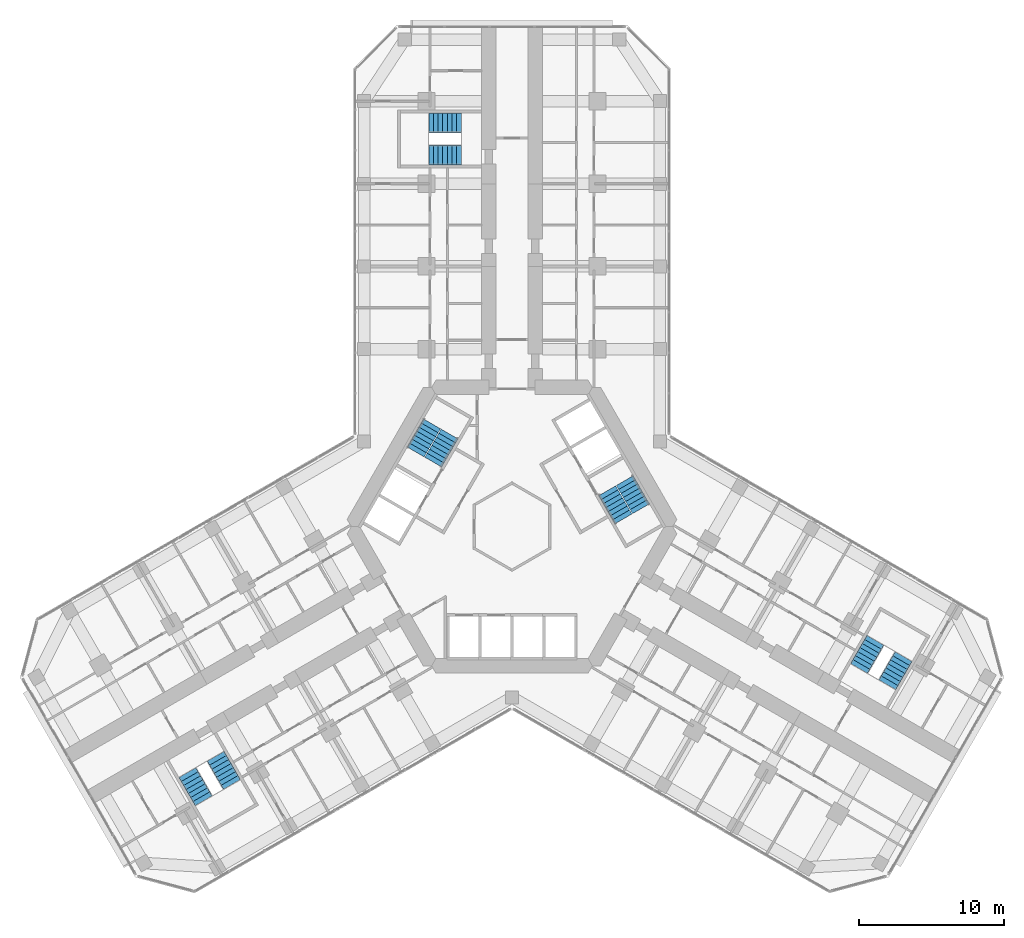
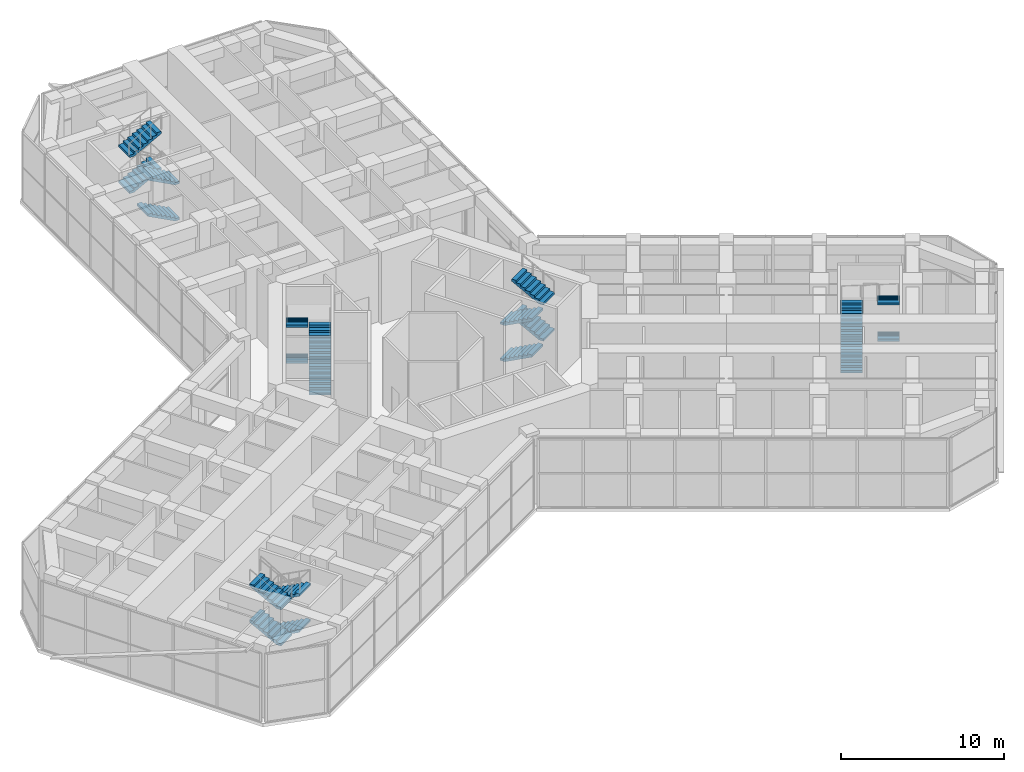
# One storey, part 21 of 23: 20 stair flights, 5 elements without a shape of their own.
"""IFC4 building model written with IfcOpenShell, lengths in metres."""

from ifc_helpers import new_model, si_unit, direction, frame, origin, place, context, subcontext, project, spatial, polyline, outline, extrude, material, type_object, element, aggregate, save


model = new_model("IFC4")

# Units and contexts
model_context = context("Model", 3, precision=1e-05, world=origin(), true_north=direction((0.0, 1.0)))
body_context = subcontext(model_context, "Body", "Model", "MODEL_VIEW")
ifc_project = project(units=[si_unit("LENGTHUNIT", "METRE"), si_unit("AREAUNIT", "SQUARE_METRE"), si_unit("VOLUMEUNIT", "CUBIC_METRE"), si_unit("PLANEANGLEUNIT", "RADIAN"), si_unit("MASSUNIT", "GRAM", prefix="KILO")], contexts=[model_context])

# Site, building, storey
site_placement = place(None, origin())
site = spatial("IfcSite", under=ifc_project, at=site_placement, CompositionType="ELEMENT")
building_placement = place(site_placement, origin())
building = spatial("IfcBuilding", under=site, at=building_placement, Name="Kosmar Iwan School Tower", CompositionType="ELEMENT")
storey_placement = place(building_placement, frame((0.0, 0.0, 75.39990234375)))
storey = spatial("IfcBuildingStorey", under=building, at=storey_placement, Name="L18", CompositionType="ELEMENT", Elevation=75.39990234375)

# Stair, stair flights
ifc_material_1 = material(Name="Concrete C35/45", Category="concrete")
stair_type_1 = type_object("IfcStairType", Name="Escape stair 3600", PredefinedType="HALF_TURN_STAIR", material=ifc_material_1)
stair_1_placement = place(storey_placement, origin())
stair_1 = element("IfcStair", 1, at=stair_1_placement, inside=storey, type_object=stair_type_1, Name="Stair WS1 L18", PredefinedType="HALF_TURN_STAIR")
ifc_material_2 = material(Name="Concrete C35/45", Category="concrete")
stair_flight_type_1 = type_object("IfcStairFlightType", Name="Escape stair flight 1350", PredefinedType="STRAIGHT", material=ifc_material_2)
stair_flight_1_placement = place(storey_placement, frame((-3.5, 25.625, 0.0), z_axis=(0.0, 0.0, 1.0), x_axis=(-1.0, 0.0, 0.0)))
stair_flight_1 = element("IfcStairFlight", 2, at=stair_flight_1_placement, type_object=stair_flight_type_1, Name="WS1 flight 1", NumberOfRisers=8, NumberOfTreads=7, PredefinedType="STRAIGHT", RiserHeight=0.16875, TreadLength=0.32, context=body_context, shape_type="SweptSolid", body=[
    extrude(outline(polyline([(0.0, 0.0), (0.0, 0.168701171875), (0.320068359375, 0.168701171875), (0.320068359375, 0.33740234375), (0.639892578125, 0.33740234375), (0.639892578125, 0.50634765625), (0.9599609375, 0.50634765625), (0.9599609375, 0.675048828125), (1.280029296875, 0.675048828125), (1.280029296875, 0.84375), (1.60009765625, 0.84375), (1.60009765625, 1.012451171875), (1.919921875, 1.012451171875), (1.919921875, 1.18115234375), (2.239990234375, 1.18115234375), (2.239990234375, 1.35009765625), (2.239990234375, 1.01171875), (0.3212890625, 0.0), (0.0, 0.0)])), frame((0.0, 0.675048828125, 0.0), z_axis=(0.0, -1.0, 0.0), x_axis=(1.0, 0.0, 0.0)), (0.0, 0.0, 1.0), 1.35009765625),
])
stair_flight_2_placement = place(storey_placement, frame((-5.739990234375, 27.875, 1.35009765625), z_axis=(0.0, 0.0, 1.0), x_axis=(1.0, 0.0, 0.0)))
stair_flight_2 = element("IfcStairFlight", 3, at=stair_flight_2_placement, type_object=stair_flight_type_1, Name="WS1 flight 2", NumberOfRisers=8, NumberOfTreads=7, PredefinedType="STRAIGHT", RiserHeight=0.16875, TreadLength=0.32, context=body_context, shape_type="SweptSolid", body=[
    extrude(outline(polyline([(0.0, 0.0), (0.0, 0.168701171875), (0.320068359375, 0.168701171875), (0.320068359375, 0.33740234375), (0.639892578125, 0.33740234375), (0.639892578125, 0.50634765625), (0.9599609375, 0.50634765625), (0.9599609375, 0.675048828125), (1.280029296875, 0.675048828125), (1.280029296875, 0.84375), (1.60009765625, 0.84375), (1.60009765625, 1.012451171875), (1.919921875, 1.012451171875), (1.919921875, 1.18115234375), (2.239990234375, 1.18115234375), (2.239990234375, 1.35009765625), (2.239990234375, 1.01171875), (0.3212890625, 0.0), (0.0, 0.0)])), frame((0.0, 0.675048828125, 0.0), z_axis=(0.0, -1.0, 0.0), x_axis=(1.0, 0.0, 0.0)), (0.0, 0.0, 1.0), 1.35009765625),
])
stair_flight_3_placement = place(storey_placement, frame((-3.5, 25.625, 2.7001953125), z_axis=(0.0, 0.0, 1.0), x_axis=(-1.0, 0.0, 0.0)))
stair_flight_3 = element("IfcStairFlight", 4, at=stair_flight_3_placement, type_object=stair_flight_type_1, Name="WS1 flight 3", NumberOfRisers=8, NumberOfTreads=7, PredefinedType="STRAIGHT", RiserHeight=0.16875, TreadLength=0.32, context=body_context, shape_type="SweptSolid", body=[
    extrude(outline(polyline([(0.0, 0.0), (0.0, 0.168701171875), (0.320068359375, 0.168701171875), (0.320068359375, 0.33740234375), (0.639892578125, 0.33740234375), (0.639892578125, 0.50634765625), (0.9599609375, 0.50634765625), (0.9599609375, 0.675048828125), (1.280029296875, 0.675048828125), (1.280029296875, 0.84375), (1.60009765625, 0.84375), (1.60009765625, 1.012451171875), (1.919921875, 1.012451171875), (1.919921875, 1.18115234375), (2.239990234375, 1.18115234375), (2.239990234375, 1.35009765625), (2.239990234375, 1.01171875), (0.3212890625, 0.0), (0.0, 0.0)])), frame((0.0, 0.675048828125, 0.0), z_axis=(0.0, -1.0, 0.0), x_axis=(1.0, 0.0, 0.0)), (0.0, 0.0, 1.0), 1.35009765625),
])
stair_flight_4_placement = place(storey_placement, frame((-5.739990234375, 27.875, 4.050048828125), z_axis=(0.0, 0.0, 1.0), x_axis=(1.0, 0.0, 0.0)))
stair_flight_4 = element("IfcStairFlight", 5, at=stair_flight_4_placement, type_object=stair_flight_type_1, Name="WS1 flight 4", NumberOfRisers=8, NumberOfTreads=7, PredefinedType="STRAIGHT", RiserHeight=0.16875, TreadLength=0.32, context=body_context, shape_type="SweptSolid", body=[
    extrude(outline(polyline([(0.0, 0.0), (0.0, 0.168701171875), (0.320068359375, 0.168701171875), (0.320068359375, 0.33740234375), (0.639892578125, 0.33740234375), (0.639892578125, 0.50634765625), (0.9599609375, 0.50634765625), (0.9599609375, 0.675048828125), (1.280029296875, 0.675048828125), (1.280029296875, 0.84375), (1.60009765625, 0.84375), (1.60009765625, 1.012451171875), (1.919921875, 1.012451171875), (1.919921875, 1.18115234375), (2.239990234375, 1.18115234375), (2.239990234375, 1.35009765625), (2.239990234375, 1.01171875), (0.3212890625, 0.0), (0.0, 0.0)])), frame((0.0, 0.675048828125, 0.0), z_axis=(0.0, -1.0, 0.0), x_axis=(1.0, 0.0, 0.0)), (0.0, 0.0, 1.0), 1.35009765625),
])
aggregate(stair_1, [stair_flight_1, stair_flight_2, stair_flight_3, stair_flight_4])

stair_2_placement = place(storey_placement, origin())
stair_2 = element("IfcStair", 6, at=stair_2_placement, inside=storey, type_object=stair_type_1, Name="Stair WS2 L18", PredefinedType="HALF_TURN_STAIR")
stair_flight_5_placement = place(storey_placement, frame((-20.44189453125, -15.843505859375, 0.0), z_axis=(0.0, 0.0, 1.0), x_axis=(0.5, -0.866025403784, 0.0)))
stair_flight_5 = element("IfcStairFlight", 7, at=stair_flight_5_placement, type_object=stair_flight_type_1, Name="WS2 flight 1", NumberOfRisers=8, NumberOfTreads=7, PredefinedType="STRAIGHT", RiserHeight=0.16875, TreadLength=0.32, context=body_context, shape_type="SweptSolid", body=[
    extrude(outline(polyline([(0.0, 0.0), (0.0, 0.168701171875), (0.320068359375, 0.168701171875), (0.320068359375, 0.33740234375), (0.639892578125, 0.33740234375), (0.639892578125, 0.50634765625), (0.9599609375, 0.50634765625), (0.9599609375, 0.675048828125), (1.280029296875, 0.675048828125), (1.280029296875, 0.84375), (1.60009765625, 0.84375), (1.60009765625, 1.012451171875), (1.919921875, 1.012451171875), (1.919921875, 1.18115234375), (2.239990234375, 1.18115234375), (2.239990234375, 1.35009765625), (2.239990234375, 1.01171875), (0.3212890625, 0.0), (0.0, 0.0)])), frame((0.0, 0.675048828125, 0.0), z_axis=(0.0, -1.0, 0.0), x_axis=(1.0, 0.0, 0.0)), (0.0, 0.0, 1.0), 1.35009765625),
])
stair_flight_6_placement = place(storey_placement, frame((-21.2705078125, -18.908447265625, 1.35009765625), z_axis=(0.0, 0.0, 1.0), x_axis=(-0.5, 0.866025403784, 0.0)))
stair_flight_6 = element("IfcStairFlight", 8, at=stair_flight_6_placement, type_object=stair_flight_type_1, Name="WS2 flight 2", NumberOfRisers=8, NumberOfTreads=7, PredefinedType="STRAIGHT", RiserHeight=0.16875, TreadLength=0.32, context=body_context, shape_type="SweptSolid", body=[
    extrude(outline(polyline([(0.0, 0.0), (0.0, 0.168701171875), (0.320068359375, 0.168701171875), (0.320068359375, 0.33740234375), (0.639892578125, 0.33740234375), (0.639892578125, 0.50634765625), (0.9599609375, 0.50634765625), (0.9599609375, 0.675048828125), (1.280029296875, 0.675048828125), (1.280029296875, 0.84375), (1.60009765625, 0.84375), (1.60009765625, 1.012451171875), (1.919921875, 1.012451171875), (1.919921875, 1.18115234375), (2.239990234375, 1.18115234375), (2.239990234375, 1.35009765625), (2.239990234375, 1.01171875), (0.3212890625, 0.0), (0.0, 0.0)])), frame((0.0, 0.675048828125, 0.0), z_axis=(0.0, -1.0, 0.0), x_axis=(1.0, 0.0, 0.0)), (0.0, 0.0, 1.0), 1.35009765625),
])
stair_flight_7_placement = place(storey_placement, frame((-20.44189453125, -15.843505859375, 2.7001953125), z_axis=(0.0, 0.0, 1.0), x_axis=(0.5, -0.866025403784, 0.0)))
stair_flight_7 = element("IfcStairFlight", 9, at=stair_flight_7_placement, type_object=stair_flight_type_1, Name="WS2 flight 3", NumberOfRisers=8, NumberOfTreads=7, PredefinedType="STRAIGHT", RiserHeight=0.16875, TreadLength=0.32, context=body_context, shape_type="SweptSolid", body=[
    extrude(outline(polyline([(0.0, 0.0), (0.0, 0.168701171875), (0.320068359375, 0.168701171875), (0.320068359375, 0.33740234375), (0.639892578125, 0.33740234375), (0.639892578125, 0.50634765625), (0.9599609375, 0.50634765625), (0.9599609375, 0.675048828125), (1.280029296875, 0.675048828125), (1.280029296875, 0.84375), (1.60009765625, 0.84375), (1.60009765625, 1.012451171875), (1.919921875, 1.012451171875), (1.919921875, 1.18115234375), (2.239990234375, 1.18115234375), (2.239990234375, 1.35009765625), (2.239990234375, 1.01171875), (0.3212890625, 0.0), (0.0, 0.0)])), frame((0.0, 0.675048828125, 0.0), z_axis=(0.0, -1.0, 0.0), x_axis=(1.0, 0.0, 0.0)), (0.0, 0.0, 1.0), 1.35009765625),
])
stair_flight_8_placement = place(storey_placement, frame((-21.2705078125, -18.908447265625, 4.050048828125), z_axis=(0.0, 0.0, 1.0), x_axis=(-0.5, 0.866025403784, 0.0)))
stair_flight_8 = element("IfcStairFlight", 10, at=stair_flight_8_placement, type_object=stair_flight_type_1, Name="WS2 flight 4", NumberOfRisers=8, NumberOfTreads=7, PredefinedType="STRAIGHT", RiserHeight=0.16875, TreadLength=0.32, context=body_context, shape_type="SweptSolid", body=[
    extrude(outline(polyline([(0.0, 0.0), (0.0, 0.168701171875), (0.320068359375, 0.168701171875), (0.320068359375, 0.33740234375), (0.639892578125, 0.33740234375), (0.639892578125, 0.50634765625), (0.9599609375, 0.50634765625), (0.9599609375, 0.675048828125), (1.280029296875, 0.675048828125), (1.280029296875, 0.84375), (1.60009765625, 0.84375), (1.60009765625, 1.012451171875), (1.919921875, 1.012451171875), (1.919921875, 1.18115234375), (2.239990234375, 1.18115234375), (2.239990234375, 1.35009765625), (2.239990234375, 1.01171875), (0.3212890625, 0.0), (0.0, 0.0)])), frame((0.0, 0.675048828125, 0.0), z_axis=(0.0, -1.0, 0.0), x_axis=(1.0, 0.0, 0.0)), (0.0, 0.0, 1.0), 1.35009765625),
])
aggregate(stair_2, [stair_flight_5, stair_flight_6, stair_flight_7, stair_flight_8])

stair_3_placement = place(storey_placement, origin())
stair_3 = element("IfcStair", 11, at=stair_3_placement, inside=storey, type_object=stair_type_1, Name="Stair WS3 L18", PredefinedType="HALF_TURN_STAIR")
stair_flight_9_placement = place(storey_placement, frame((23.94189453125, -9.781494140625, 0.0), z_axis=(0.0, 0.0, 1.0), x_axis=(0.5, 0.866025403784, 0.0)))
stair_flight_9 = element("IfcStairFlight", 12, at=stair_flight_9_placement, type_object=stair_flight_type_1, Name="WS3 flight 1", NumberOfRisers=8, NumberOfTreads=7, PredefinedType="STRAIGHT", RiserHeight=0.16875, TreadLength=0.32, context=body_context, shape_type="SweptSolid", body=[
    extrude(outline(polyline([(0.0, 0.0), (0.0, 0.168701171875), (0.320068359375, 0.168701171875), (0.320068359375, 0.33740234375), (0.639892578125, 0.33740234375), (0.639892578125, 0.50634765625), (0.9599609375, 0.50634765625), (0.9599609375, 0.675048828125), (1.280029296875, 0.675048828125), (1.280029296875, 0.84375), (1.60009765625, 0.84375), (1.60009765625, 1.012451171875), (1.919921875, 1.012451171875), (1.919921875, 1.18115234375), (2.239990234375, 1.18115234375), (2.239990234375, 1.35009765625), (2.239990234375, 1.01171875), (0.3212890625, 0.0), (0.0, 0.0)])), frame((0.0, 0.675048828125, 0.0), z_axis=(0.0, -1.0, 0.0), x_axis=(1.0, 0.0, 0.0)), (0.0, 0.0, 1.0), 1.35009765625),
])
stair_flight_10_placement = place(storey_placement, frame((27.010498046875, -8.966552734375, 1.35009765625), z_axis=(0.0, 0.0, 1.0), x_axis=(-0.5, -0.866025403784, 0.0)))
stair_flight_10 = element("IfcStairFlight", 13, at=stair_flight_10_placement, type_object=stair_flight_type_1, Name="WS3 flight 2", NumberOfRisers=8, NumberOfTreads=7, PredefinedType="STRAIGHT", RiserHeight=0.16875, TreadLength=0.32, context=body_context, shape_type="SweptSolid", body=[
    extrude(outline(polyline([(0.0, 0.0), (0.0, 0.168701171875), (0.320068359375, 0.168701171875), (0.320068359375, 0.33740234375), (0.639892578125, 0.33740234375), (0.639892578125, 0.50634765625), (0.9599609375, 0.50634765625), (0.9599609375, 0.675048828125), (1.280029296875, 0.675048828125), (1.280029296875, 0.84375), (1.60009765625, 0.84375), (1.60009765625, 1.012451171875), (1.919921875, 1.012451171875), (1.919921875, 1.18115234375), (2.239990234375, 1.18115234375), (2.239990234375, 1.35009765625), (2.239990234375, 1.01171875), (0.3212890625, 0.0), (0.0, 0.0)])), frame((0.0, 0.675048828125, 0.0), z_axis=(0.0, -1.0, 0.0), x_axis=(1.0, 0.0, 0.0)), (0.0, 0.0, 1.0), 1.35009765625),
])
stair_flight_11_placement = place(storey_placement, frame((23.94189453125, -9.781494140625, 2.7001953125), z_axis=(0.0, 0.0, 1.0), x_axis=(0.5, 0.866025403784, 0.0)))
stair_flight_11 = element("IfcStairFlight", 14, at=stair_flight_11_placement, type_object=stair_flight_type_1, Name="WS3 flight 3", NumberOfRisers=8, NumberOfTreads=7, PredefinedType="STRAIGHT", RiserHeight=0.16875, TreadLength=0.32, context=body_context, shape_type="SweptSolid", body=[
    extrude(outline(polyline([(0.0, 0.0), (0.0, 0.168701171875), (0.320068359375, 0.168701171875), (0.320068359375, 0.33740234375), (0.639892578125, 0.33740234375), (0.639892578125, 0.50634765625), (0.9599609375, 0.50634765625), (0.9599609375, 0.675048828125), (1.280029296875, 0.675048828125), (1.280029296875, 0.84375), (1.60009765625, 0.84375), (1.60009765625, 1.012451171875), (1.919921875, 1.012451171875), (1.919921875, 1.18115234375), (2.239990234375, 1.18115234375), (2.239990234375, 1.35009765625), (2.239990234375, 1.01171875), (0.3212890625, 0.0), (0.0, 0.0)])), frame((0.0, 0.675048828125, 0.0), z_axis=(0.0, -1.0, 0.0), x_axis=(1.0, 0.0, 0.0)), (0.0, 0.0, 1.0), 1.35009765625),
])
stair_flight_12_placement = place(storey_placement, frame((27.010498046875, -8.966552734375, 4.050048828125), z_axis=(0.0, 0.0, 1.0), x_axis=(-0.5, -0.866025403784, 0.0)))
stair_flight_12 = element("IfcStairFlight", 15, at=stair_flight_12_placement, type_object=stair_flight_type_1, Name="WS3 flight 4", NumberOfRisers=8, NumberOfTreads=7, PredefinedType="STRAIGHT", RiserHeight=0.16875, TreadLength=0.32, context=body_context, shape_type="SweptSolid", body=[
    extrude(outline(polyline([(0.0, 0.0), (0.0, 0.168701171875), (0.320068359375, 0.168701171875), (0.320068359375, 0.33740234375), (0.639892578125, 0.33740234375), (0.639892578125, 0.50634765625), (0.9599609375, 0.50634765625), (0.9599609375, 0.675048828125), (1.280029296875, 0.675048828125), (1.280029296875, 0.84375), (1.60009765625, 0.84375), (1.60009765625, 1.012451171875), (1.919921875, 1.012451171875), (1.919921875, 1.18115234375), (2.239990234375, 1.18115234375), (2.239990234375, 1.35009765625), (2.239990234375, 1.01171875), (0.3212890625, 0.0), (0.0, 0.0)])), frame((0.0, 0.675048828125, 0.0), z_axis=(0.0, -1.0, 0.0), x_axis=(1.0, 0.0, 0.0)), (0.0, 0.0, 1.0), 1.35009765625),
])
aggregate(stair_3, [stair_flight_9, stair_flight_10, stair_flight_11, stair_flight_12])

ifc_material_3 = material(Name="Concrete C35/45", Category="concrete")
stair_type_2 = type_object("IfcStairType", Name="Core stair 2750", PredefinedType="HALF_TURN_STAIR", material=ifc_material_3)
stair_4_placement = place(storey_placement, origin())
stair_4 = element("IfcStair", 16, at=stair_4_placement, inside=storey, type_object=stair_type_2, Name="Stair ST2 L18", PredefinedType="HALF_TURN_STAIR")
ifc_material_4 = material(Name="Concrete C35/45", Category="concrete")
stair_flight_type_2 = type_object("IfcStairFlightType", Name="Stair flight 1350", PredefinedType="STRAIGHT", material=ifc_material_4)
stair_flight_13_placement = place(storey_placement, frame((-5.42724609375, 4.44970703125, 0.0), z_axis=(0.0, 0.0, 1.0), x_axis=(0.5, 0.866025403784, 0.0)))
stair_flight_13 = element("IfcStairFlight", 17, at=stair_flight_13_placement, type_object=stair_flight_type_2, Name="ST2 flight 1", NumberOfRisers=8, NumberOfTreads=7, PredefinedType="STRAIGHT", RiserHeight=0.16875, TreadLength=0.32, context=body_context, shape_type="SweptSolid", body=[
    extrude(outline(polyline([(0.0, 0.0), (0.0, 0.168701171875), (0.320068359375, 0.168701171875), (0.320068359375, 0.33740234375), (0.639892578125, 0.33740234375), (0.639892578125, 0.50634765625), (0.9599609375, 0.50634765625), (0.9599609375, 0.675048828125), (1.280029296875, 0.675048828125), (1.280029296875, 0.84375), (1.60009765625, 0.84375), (1.60009765625, 1.012451171875), (1.919921875, 1.012451171875), (1.919921875, 1.18115234375), (2.239990234375, 1.18115234375), (2.239990234375, 1.35009765625), (2.239990234375, 1.01171875), (0.3212890625, 0.0), (0.0, 0.0)])), frame((0.0, 0.675048828125, 0.0), z_axis=(0.0, -1.0, 0.0), x_axis=(1.0, 0.0, 0.0)), (0.0, 0.0, 1.0), 1.35009765625),
])
stair_flight_14_placement = place(storey_placement, frame((-5.519775390625, 7.089599609375, 1.35009765625), z_axis=(0.0, 0.0, 1.0), x_axis=(-0.5, -0.866025403784, 0.0)))
stair_flight_14 = element("IfcStairFlight", 18, at=stair_flight_14_placement, type_object=stair_flight_type_2, Name="ST2 flight 2", NumberOfRisers=8, NumberOfTreads=7, PredefinedType="STRAIGHT", RiserHeight=0.16875, TreadLength=0.32, context=body_context, shape_type="SweptSolid", body=[
    extrude(outline(polyline([(0.0, 0.0), (0.0, 0.168701171875), (0.320068359375, 0.168701171875), (0.320068359375, 0.33740234375), (0.639892578125, 0.33740234375), (0.639892578125, 0.50634765625), (0.9599609375, 0.50634765625), (0.9599609375, 0.675048828125), (1.280029296875, 0.675048828125), (1.280029296875, 0.84375), (1.60009765625, 0.84375), (1.60009765625, 1.012451171875), (1.919921875, 1.012451171875), (1.919921875, 1.18115234375), (2.239990234375, 1.18115234375), (2.239990234375, 1.35009765625), (2.239990234375, 1.01171875), (0.3212890625, 0.0), (0.0, 0.0)])), frame((0.0, 0.675048828125, 0.0), z_axis=(0.0, -1.0, 0.0), x_axis=(1.0, 0.0, 0.0)), (0.0, 0.0, 1.0), 1.35009765625),
])
stair_flight_15_placement = place(storey_placement, frame((-5.42724609375, 4.44970703125, 2.7001953125), z_axis=(0.0, 0.0, 1.0), x_axis=(0.5, 0.866025403784, 0.0)))
stair_flight_15 = element("IfcStairFlight", 19, at=stair_flight_15_placement, type_object=stair_flight_type_2, Name="ST2 flight 3", NumberOfRisers=8, NumberOfTreads=7, PredefinedType="STRAIGHT", RiserHeight=0.16875, TreadLength=0.32, context=body_context, shape_type="SweptSolid", body=[
    extrude(outline(polyline([(0.0, 0.0), (0.0, 0.168701171875), (0.320068359375, 0.168701171875), (0.320068359375, 0.33740234375), (0.639892578125, 0.33740234375), (0.639892578125, 0.50634765625), (0.9599609375, 0.50634765625), (0.9599609375, 0.675048828125), (1.280029296875, 0.675048828125), (1.280029296875, 0.84375), (1.60009765625, 0.84375), (1.60009765625, 1.012451171875), (1.919921875, 1.012451171875), (1.919921875, 1.18115234375), (2.239990234375, 1.18115234375), (2.239990234375, 1.35009765625), (2.239990234375, 1.01171875), (0.3212890625, 0.0), (0.0, 0.0)])), frame((0.0, 0.675048828125, 0.0), z_axis=(0.0, -1.0, 0.0), x_axis=(1.0, 0.0, 0.0)), (0.0, 0.0, 1.0), 1.35009765625),
])
stair_flight_16_placement = place(storey_placement, frame((-5.519775390625, 7.089599609375, 4.050048828125), z_axis=(0.0, 0.0, 1.0), x_axis=(-0.5, -0.866025403784, 0.0)))
stair_flight_16 = element("IfcStairFlight", 20, at=stair_flight_16_placement, type_object=stair_flight_type_2, Name="ST2 flight 4", NumberOfRisers=8, NumberOfTreads=7, PredefinedType="STRAIGHT", RiserHeight=0.16875, TreadLength=0.32, context=body_context, shape_type="SweptSolid", body=[
    extrude(outline(polyline([(0.0, 0.0), (0.0, 0.168701171875), (0.320068359375, 0.168701171875), (0.320068359375, 0.33740234375), (0.639892578125, 0.33740234375), (0.639892578125, 0.50634765625), (0.9599609375, 0.50634765625), (0.9599609375, 0.675048828125), (1.280029296875, 0.675048828125), (1.280029296875, 0.84375), (1.60009765625, 0.84375), (1.60009765625, 1.012451171875), (1.919921875, 1.012451171875), (1.919921875, 1.18115234375), (2.239990234375, 1.18115234375), (2.239990234375, 1.35009765625), (2.239990234375, 1.01171875), (0.3212890625, 0.0), (0.0, 0.0)])), frame((0.0, 0.675048828125, 0.0), z_axis=(0.0, -1.0, 0.0), x_axis=(1.0, 0.0, 0.0)), (0.0, 0.0, 1.0), 1.35009765625),
])
aggregate(stair_4, [stair_flight_13, stair_flight_14, stair_flight_15, stair_flight_16])

stair_5_placement = place(storey_placement, origin())
stair_5 = element("IfcStair", 21, at=stair_5_placement, inside=storey, type_object=stair_type_2, Name="Stair ST1 L18", PredefinedType="HALF_TURN_STAIR")
stair_flight_17_placement = place(storey_placement, frame((6.567138671875, 2.475341796875, 0.0), z_axis=(0.0, 0.0, 1.0), x_axis=(0.5, -0.866025403784, 0.0)))
stair_flight_17 = element("IfcStairFlight", 22, at=stair_flight_17_placement, type_object=stair_flight_type_2, Name="ST1 flight 1", NumberOfRisers=8, NumberOfTreads=7, PredefinedType="STRAIGHT", RiserHeight=0.16875, TreadLength=0.32, context=body_context, shape_type="SweptSolid", body=[
    extrude(outline(polyline([(0.0, 0.0), (0.0, 0.168701171875), (0.320068359375, 0.168701171875), (0.320068359375, 0.33740234375), (0.639892578125, 0.33740234375), (0.639892578125, 0.50634765625), (0.9599609375, 0.50634765625), (0.9599609375, 0.675048828125), (1.280029296875, 0.675048828125), (1.280029296875, 0.84375), (1.60009765625, 0.84375), (1.60009765625, 1.012451171875), (1.919921875, 1.012451171875), (1.919921875, 1.18115234375), (2.239990234375, 1.18115234375), (2.239990234375, 1.35009765625), (2.239990234375, 1.01171875), (0.3212890625, 0.0), (0.0, 0.0)])), frame((0.0, 0.675048828125, 0.0), z_axis=(0.0, -1.0, 0.0), x_axis=(1.0, 0.0, 0.0)), (0.0, 0.0, 1.0), 1.35009765625),
])
stair_flight_18_placement = place(storey_placement, frame((8.899658203125, 1.2353515625, 1.35009765625), z_axis=(0.0, 0.0, 1.0), x_axis=(-0.5, 0.866025403784, 0.0)))
stair_flight_18 = element("IfcStairFlight", 23, at=stair_flight_18_placement, type_object=stair_flight_type_2, Name="ST1 flight 2", NumberOfRisers=8, NumberOfTreads=7, PredefinedType="STRAIGHT", RiserHeight=0.16875, TreadLength=0.32, context=body_context, shape_type="SweptSolid", body=[
    extrude(outline(polyline([(0.0, 0.0), (0.0, 0.168701171875), (0.320068359375, 0.168701171875), (0.320068359375, 0.33740234375), (0.639892578125, 0.33740234375), (0.639892578125, 0.50634765625), (0.9599609375, 0.50634765625), (0.9599609375, 0.675048828125), (1.280029296875, 0.675048828125), (1.280029296875, 0.84375), (1.60009765625, 0.84375), (1.60009765625, 1.012451171875), (1.919921875, 1.012451171875), (1.919921875, 1.18115234375), (2.239990234375, 1.18115234375), (2.239990234375, 1.35009765625), (2.239990234375, 1.01171875), (0.3212890625, 0.0), (0.0, 0.0)])), frame((0.0, 0.675048828125, 0.0), z_axis=(0.0, -1.0, 0.0), x_axis=(1.0, 0.0, 0.0)), (0.0, 0.0, 1.0), 1.35009765625),
])
stair_flight_19_placement = place(storey_placement, frame((6.567138671875, 2.475341796875, 2.7001953125), z_axis=(0.0, 0.0, 1.0), x_axis=(0.5, -0.866025403784, 0.0)))
stair_flight_19 = element("IfcStairFlight", 24, at=stair_flight_19_placement, type_object=stair_flight_type_2, Name="ST1 flight 3", NumberOfRisers=8, NumberOfTreads=7, PredefinedType="STRAIGHT", RiserHeight=0.16875, TreadLength=0.32, context=body_context, shape_type="SweptSolid", body=[
    extrude(outline(polyline([(0.0, 0.0), (0.0, 0.168701171875), (0.320068359375, 0.168701171875), (0.320068359375, 0.33740234375), (0.639892578125, 0.33740234375), (0.639892578125, 0.50634765625), (0.9599609375, 0.50634765625), (0.9599609375, 0.675048828125), (1.280029296875, 0.675048828125), (1.280029296875, 0.84375), (1.60009765625, 0.84375), (1.60009765625, 1.012451171875), (1.919921875, 1.012451171875), (1.919921875, 1.18115234375), (2.239990234375, 1.18115234375), (2.239990234375, 1.35009765625), (2.239990234375, 1.01171875), (0.3212890625, 0.0), (0.0, 0.0)])), frame((0.0, 0.675048828125, 0.0), z_axis=(0.0, -1.0, 0.0), x_axis=(1.0, 0.0, 0.0)), (0.0, 0.0, 1.0), 1.35009765625),
])
stair_flight_20_placement = place(storey_placement, frame((8.899658203125, 1.2353515625, 4.050048828125), z_axis=(0.0, 0.0, 1.0), x_axis=(-0.5, 0.866025403784, 0.0)))
stair_flight_20 = element("IfcStairFlight", 25, at=stair_flight_20_placement, type_object=stair_flight_type_2, Name="ST1 flight 4", NumberOfRisers=8, NumberOfTreads=7, PredefinedType="STRAIGHT", RiserHeight=0.16875, TreadLength=0.32, context=body_context, shape_type="SweptSolid", body=[
    extrude(outline(polyline([(0.0, 0.0), (0.0, 0.168701171875), (0.320068359375, 0.168701171875), (0.320068359375, 0.33740234375), (0.639892578125, 0.33740234375), (0.639892578125, 0.50634765625), (0.9599609375, 0.50634765625), (0.9599609375, 0.675048828125), (1.280029296875, 0.675048828125), (1.280029296875, 0.84375), (1.60009765625, 0.84375), (1.60009765625, 1.012451171875), (1.919921875, 1.012451171875), (1.919921875, 1.18115234375), (2.239990234375, 1.18115234375), (2.239990234375, 1.35009765625), (2.239990234375, 1.01171875), (0.3212890625, 0.0), (0.0, 0.0)])), frame((0.0, 0.675048828125, 0.0), z_axis=(0.0, -1.0, 0.0), x_axis=(1.0, 0.0, 0.0)), (0.0, 0.0, 1.0), 1.35009765625),
])
aggregate(stair_5, [stair_flight_17, stair_flight_18, stair_flight_19, stair_flight_20])

save(model, "model.ifc")
